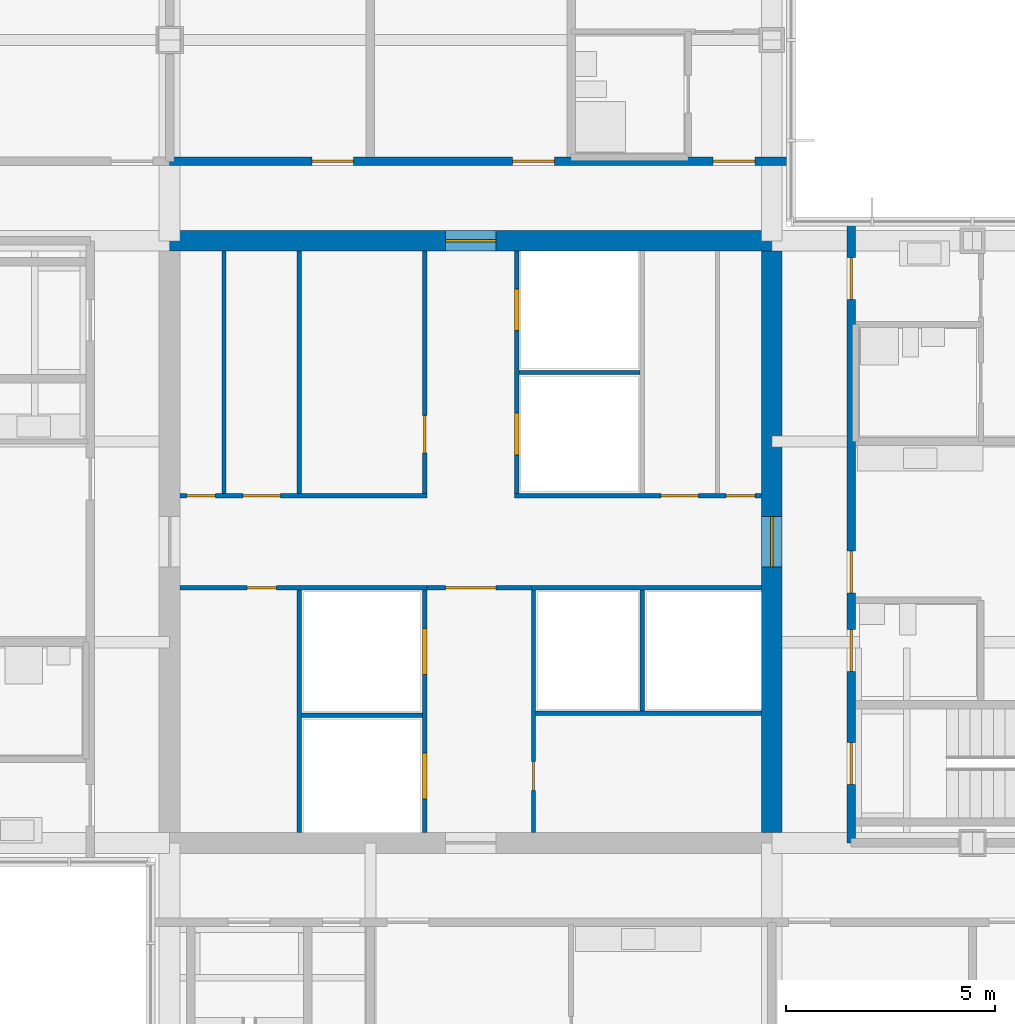
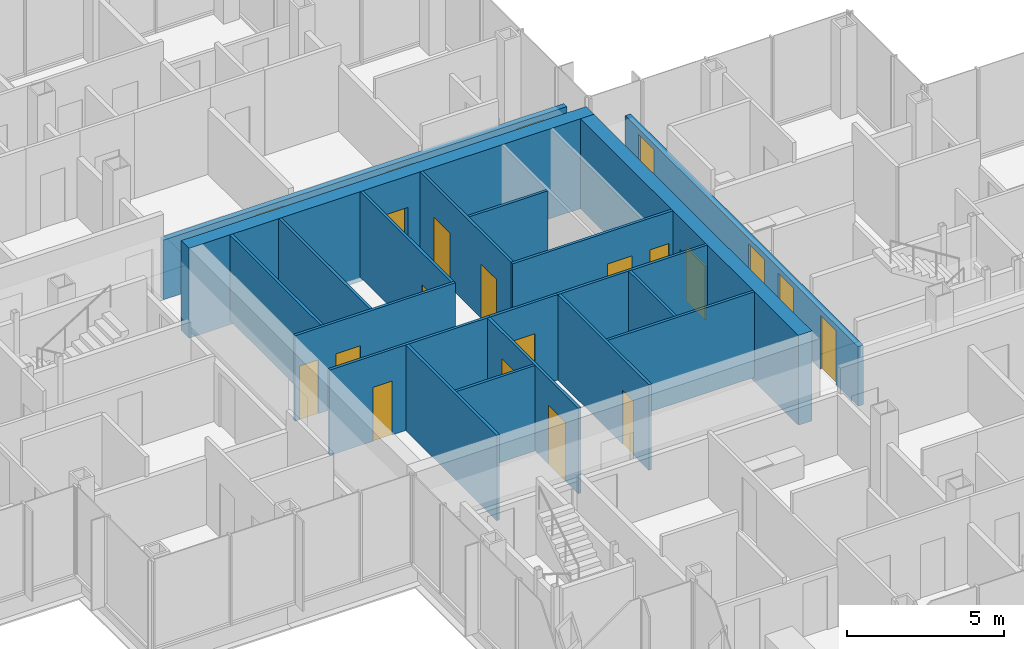
# One storey, part 14 of 20: 21 doors, 20 walls, 21 openings.
"""IFC4 building model written with IfcOpenShell, lengths in metres."""

from ifc_helpers import new_model, si_unit, direction, frame, frame_2d, origin, place, context, subcontext, project, spatial, rectangle, extrude, material, layer, layer_set, type_object, element, fill, save


model = new_model("IFC4")

# Units and contexts
model_context = context("Model", 3, precision=1e-05, world=origin(), true_north=direction((0.0, 1.0)))
body_context = subcontext(model_context, "Body", "Model", "MODEL_VIEW")
ifc_project = project(units=[si_unit("LENGTHUNIT", "METRE"), si_unit("AREAUNIT", "SQUARE_METRE"), si_unit("VOLUMEUNIT", "CUBIC_METRE"), si_unit("PLANEANGLEUNIT", "RADIAN"), si_unit("MASSUNIT", "GRAM", prefix="KILO")], contexts=[model_context])

# Site, building, storey
site_placement = place(None, origin())
site = spatial("IfcSite", under=ifc_project, at=site_placement, CompositionType="ELEMENT")
building_placement = place(site_placement, origin())
building = spatial("IfcBuilding", under=site, at=building_placement, Name="Kvirike Care Tower", CompositionType="ELEMENT")
storey_placement = place(building_placement, frame((0.0, 0.0, 119.0)))
storey = spatial("IfcBuildingStorey", under=building, at=storey_placement, Name="L32", CompositionType="ELEMENT", Elevation=119.0)

# Wall, opening, door
ifc_material_1 = material(Name="Concrete C50/60", Category="concrete")
ifc_layer_1 = layer(ifc_material_1, 0.5)
ifc_layer_set_1 = layer_set([ifc_layer_1], Name="CORE WALL 500 C50-60")
wall_type_1 = type_object("IfcWallType", Name="CORE WALL 500 C50-60", PredefinedType="SHEAR", material=ifc_layer_set_1)
wall_1_placement = place(storey_placement, frame((29.050048828125, 43.199951171875, -0.169921875), z_axis=(0.0, 0.0, 1.0), x_axis=(-1.0, 0.0, 0.0)))
wall_1 = element("IfcWall", 1, at=wall_1_placement, inside=storey, type_object=wall_type_1, Name="Core wall N L32", PredefinedType="SHEAR", context=body_context, shape_type="SweptSolid", body=[
    extrude(rectangle(XDim=14.900146484375, YDim=0.5, at=frame_2d((7.4501953125, 0.0))), origin(), (0.0, 0.0, 1.0), 3.5),
])
opening_1_placement = place(wall_1_placement, frame((6.85009765625, 0.0, 0.169921875)))
opening_1 = element("IfcOpeningElement", 2, at=opening_1_placement, cuts=wall_1, Name="Opening 32-071", PredefinedType="OPENING", context=body_context, shape_type="SweptSolid", body=[
    extrude(rectangle(XDim=1.199951171875, YDim=2.10009765625, at=frame_2d((0.60009765625, 1.050048828125))), frame((0.0, 0.260498046875, 0.0), z_axis=(0.0, -1.0, 0.0), x_axis=(1.0, 0.0, 0.0)), (0.0, 0.0, 1.0), 0.52099609375),
])
ifc_material_2 = material(Name="Timber door set", Category="wood")
door_type_1 = type_object("IfcDoorType", Name="CORE DOOR 1200", OperationType="SINGLE_SWING_LEFT", PredefinedType="DOOR", material=ifc_material_2)
door_1_placement = place(opening_1_placement, origin())
door_1 = element("IfcDoor", 3, at=door_1_placement, inside=storey, type_object=door_type_1, Name="Core door N L32", OperationType="SINGLE_SWING_LEFT", OverallHeight=2.10009765625, OverallWidth=1.199951171875, PredefinedType="DOOR", context=body_context, shape_type="SweptSolid", body=[
    extrude(rectangle(XDim=1.199951171875, YDim=2.10009765625, at=frame_2d((0.60009765625, 1.050048828125))), frame((0.0, 0.02685546875, 0.0), z_axis=(0.0, -1.0, 0.0), x_axis=(1.0, 0.0, 0.0)), (0.0, 0.0, 1.0), 0.053955078125),
])
fill(opening_1, door_1)

wall_2_placement = place(storey_placement, frame((28.800048828125, 29.050048828125, -0.169921875), z_axis=(0.0, 0.0, 1.0), x_axis=(0.0, 1.0, 0.0)))
wall_2 = element("IfcWall", 4, at=wall_2_placement, inside=storey, type_object=wall_type_1, Name="Core wall E L32", PredefinedType="SHEAR", context=body_context, shape_type="SweptSolid", body=[
    extrude(rectangle(XDim=13.89990234375, YDim=0.5, at=frame_2d((6.949951171875, 0.0))), origin(), (0.0, 0.0, 1.0), 3.5),
])
opening_2_placement = place(wall_2_placement, frame((6.35009765625, 0.0, 0.169921875)))
opening_2 = element("IfcOpeningElement", 5, at=opening_2_placement, cuts=wall_2, Name="Opening 32-070", PredefinedType="OPENING", context=body_context, shape_type="SweptSolid", body=[
    extrude(rectangle(XDim=1.199951171875, YDim=2.10009765625, at=frame_2d((0.60009765625, 1.050048828125))), frame((0.0, 0.260498046875, 0.0), z_axis=(0.0, -1.0, 0.0), x_axis=(1.0, 0.0, 0.0)), (0.0, 0.0, 1.0), 0.52099609375),
])
door_2_placement = place(opening_2_placement, origin())
door_2 = element("IfcDoor", 6, at=door_2_placement, inside=storey, type_object=door_type_1, Name="Core door E L32", OperationType="SINGLE_SWING_LEFT", OverallHeight=2.10009765625, OverallWidth=1.199951171875, PredefinedType="DOOR", context=body_context, shape_type="SweptSolid", body=[
    extrude(rectangle(XDim=1.199951171875, YDim=2.10009765625, at=frame_2d((0.60009765625, 1.050048828125))), frame((0.0, 0.02685546875, 0.0), z_axis=(0.0, -1.0, 0.0), x_axis=(1.0, 0.0, 0.0)), (0.0, 0.0, 1.0), 0.053955078125),
])
fill(opening_2, door_2)

# Wall, openings, doors
ifc_material_3 = material(Name="Plasterboard corridor wall", Category="gypsum")
ifc_layer_2 = layer(ifc_material_3, 0.199951171875)
ifc_layer_set_2 = layer_set([ifc_layer_2], Name="CORRIDOR WALL 200")
wall_type_2 = type_object("IfcWallType", Name="CORRIDOR WALL 200", PredefinedType="PARTITIONING", material=ifc_layer_set_2)
wall_3_placement = place(storey_placement, frame((29.239990234375, 45.10009765625, 0.0), z_axis=(0.0, 0.0, 1.0), x_axis=(-1.0, 0.0, 0.0)))
wall_3 = element("IfcWall", 7, at=wall_3_placement, inside=storey, type_object=wall_type_2, Name="Corridor Wall 200 L32", PredefinedType="PARTITIONING", context=body_context, shape_type="SweptSolid", body=[
    extrude(rectangle(XDim=14.840087890625, YDim=0.199951171875, at=frame_2d((7.419921875, 0.0))), origin(), (0.0, 0.0, 1.0), 2.320068359375),
])
opening_3_placement = place(wall_3_placement, frame((0.840087890625, 0.0, 0.0)))
opening_3 = element("IfcOpeningElement", 8, at=opening_3_placement, cuts=wall_3, Name="Opening 32-035", PredefinedType="OPENING", context=body_context, shape_type="SweptSolid", body=[
    extrude(rectangle(XDim=1.0, YDim=2.10009765625, at=frame_2d((0.5, 1.050048828125))), frame((0.0, 0.110595703125, 0.0), z_axis=(0.0, -1.0, 0.0), x_axis=(1.0, 0.0, 0.0)), (0.0, 0.0, 1.0), 0.220947265625),
])
opening_4_placement = place(wall_3_placement, frame((5.639892578125, 0.0, 0.0)))
opening_4 = element("IfcOpeningElement", 9, at=opening_4_placement, cuts=wall_3, Name="Opening 32-036", PredefinedType="OPENING", context=body_context, shape_type="SweptSolid", body=[
    extrude(rectangle(XDim=1.0, YDim=2.10009765625, at=frame_2d((0.5, 1.050048828125))), frame((0.0, 0.110595703125, 0.0), z_axis=(0.0, -1.0, 0.0), x_axis=(1.0, 0.0, 0.0)), (0.0, 0.0, 1.0), 0.220947265625),
])
opening_5_placement = place(wall_3_placement, frame((10.43994140625, 0.0, 0.0)))
opening_5 = element("IfcOpeningElement", 10, at=opening_5_placement, cuts=wall_3, Name="Opening 32-037", PredefinedType="OPENING", context=body_context, shape_type="SweptSolid", body=[
    extrude(rectangle(XDim=1.0, YDim=2.10009765625, at=frame_2d((0.5, 1.050048828125))), frame((0.0, 0.110595703125, 0.0), z_axis=(0.0, -1.0, 0.0), x_axis=(1.0, 0.0, 0.0)), (0.0, 0.0, 1.0), 0.220947265625),
])
ifc_material_4 = material(Name="Timber door set", Category="wood")
door_type_2 = type_object("IfcDoorType", Name="FLAT ENTRANCE DOOR 1000", OperationType="SINGLE_SWING_LEFT", PredefinedType="DOOR", material=ifc_material_4)
door_3_placement = place(opening_3_placement, frame((1.0, 0.0, 0.0), z_axis=(0.0, 0.0, 1.0), x_axis=(-1.0, 0.0, 0.0)))
door_3 = element("IfcDoor", 11, at=door_3_placement, inside=storey, type_object=door_type_2, Name="Care base entrance", OperationType="SINGLE_SWING_LEFT", OverallHeight=2.10009765625, OverallWidth=1.0, PredefinedType="DOOR", context=body_context, shape_type="SweptSolid", body=[
    extrude(rectangle(XDim=1.0, YDim=2.10009765625, at=frame_2d((0.5, 1.050048828125))), frame((0.0, 0.02685546875, 0.0), z_axis=(0.0, -1.0, 0.0), x_axis=(1.0, 0.0, 0.0)), (0.0, 0.0, 1.0), 0.053955078125),
])
fill(opening_3, door_3)
door_4_placement = place(opening_4_placement, frame((1.0, 0.0, 0.0), z_axis=(0.0, 0.0, 1.0), x_axis=(-1.0, 0.0, 0.0)))
door_4 = element("IfcDoor", 12, at=door_4_placement, inside=storey, type_object=door_type_2, Name="Assisted living suite entrance", OperationType="SINGLE_SWING_LEFT", OverallHeight=2.10009765625, OverallWidth=1.0, PredefinedType="DOOR", context=body_context, shape_type="SweptSolid", body=[
    extrude(rectangle(XDim=1.0, YDim=2.10009765625, at=frame_2d((0.5, 1.050048828125))), frame((0.0, 0.02685546875, 0.0), z_axis=(0.0, -1.0, 0.0), x_axis=(1.0, 0.0, 0.0)), (0.0, 0.0, 1.0), 0.053955078125),
])
fill(opening_4, door_4)
door_5_placement = place(opening_5_placement, frame((1.0, 0.0, 0.0), z_axis=(0.0, 0.0, 1.0), x_axis=(-1.0, 0.0, 0.0)))
door_5 = element("IfcDoor", 13, at=door_5_placement, inside=storey, type_object=door_type_2, Name="Assisted living suite entrance", OperationType="SINGLE_SWING_LEFT", OverallHeight=2.10009765625, OverallWidth=1.0, PredefinedType="DOOR", context=body_context, shape_type="SweptSolid", body=[
    extrude(rectangle(XDim=1.0, YDim=2.10009765625, at=frame_2d((0.5, 1.050048828125))), frame((0.0, 0.02685546875, 0.0), z_axis=(0.0, -1.0, 0.0), x_axis=(1.0, 0.0, 0.0)), (0.0, 0.0, 1.0), 0.053955078125),
])
fill(opening_5, door_5)

wall_4_placement = place(storey_placement, frame((30.699951171875, 28.800048828125, 0.0), z_axis=(0.0, 0.0, 1.0), x_axis=(0.0, 1.0, 0.0)))
wall_4 = element("IfcWall", 14, at=wall_4_placement, inside=storey, type_object=wall_type_2, Name="Corridor Wall 200 L32", PredefinedType="PARTITIONING", context=body_context, shape_type="SweptSolid", body=[
    extrude(rectangle(XDim=14.83984375, YDim=0.199951171875, at=frame_2d((7.419921875, 0.0))), origin(), (0.0, 0.0, 1.0), 2.320068359375),
])
opening_6_placement = place(wall_4_placement, frame((1.39990234375, 0.0, 0.0)))
opening_6 = element("IfcOpeningElement", 15, at=opening_6_placement, cuts=wall_4, Name="Opening 32-052", PredefinedType="OPENING", context=body_context, shape_type="SweptSolid", body=[
    extrude(rectangle(XDim=1.0, YDim=2.10009765625, at=frame_2d((0.5, 1.050048828125))), frame((0.0, 0.110595703125, 0.0), z_axis=(0.0, -1.0, 0.0), x_axis=(1.0, 0.0, 0.0)), (0.0, 0.0, 1.0), 0.220947265625),
])
opening_7_placement = place(wall_4_placement, frame((4.10009765625, 0.0, 0.0)))
opening_7 = element("IfcOpeningElement", 16, at=opening_7_placement, cuts=wall_4, Name="Opening 32-053", PredefinedType="OPENING", context=body_context, shape_type="SweptSolid", body=[
    extrude(rectangle(XDim=1.0, YDim=2.10009765625, at=frame_2d((0.5, 1.050048828125))), frame((0.0, 0.110595703125, 0.0), z_axis=(0.0, -1.0, 0.0), x_axis=(1.0, 0.0, 0.0)), (0.0, 0.0, 1.0), 0.220947265625),
])
opening_8_placement = place(wall_4_placement, frame((5.97509765625, 0.0, 0.0)))
opening_8 = element("IfcOpeningElement", 17, at=opening_8_placement, cuts=wall_4, Name="Opening 32-054", PredefinedType="OPENING", context=body_context, shape_type="SweptSolid", body=[
    extrude(rectangle(XDim=1.0, YDim=2.10009765625, at=frame_2d((0.5, 1.050048828125))), frame((0.0, 0.110595703125, 0.0), z_axis=(0.0, -1.0, 0.0), x_axis=(1.0, 0.0, 0.0)), (0.0, 0.0, 1.0), 0.220947265625),
])
opening_9_placement = place(wall_4_placement, frame((13.0, 0.0, 0.0)))
opening_9 = element("IfcOpeningElement", 18, at=opening_9_placement, cuts=wall_4, Name="Opening 32-055", PredefinedType="OPENING", context=body_context, shape_type="SweptSolid", body=[
    extrude(rectangle(XDim=1.0, YDim=2.10009765625, at=frame_2d((0.5, 1.050048828125))), frame((0.0, 0.110595703125, 0.0), z_axis=(0.0, -1.0, 0.0), x_axis=(1.0, 0.0, 0.0)), (0.0, 0.0, 1.0), 0.220947265625),
])
door_6_placement = place(opening_8_placement, frame((1.0, 0.0, 0.0), z_axis=(0.0, 0.0, 1.0), x_axis=(-1.0, 0.0, 0.0)))
door_6 = element("IfcDoor", 19, at=door_6_placement, inside=storey, type_object=door_type_2, Name="Assisted living suite entrance", OperationType="SINGLE_SWING_LEFT", OverallHeight=2.10009765625, OverallWidth=1.0, PredefinedType="DOOR", context=body_context, shape_type="SweptSolid", body=[
    extrude(rectangle(XDim=1.0, YDim=2.10009765625, at=frame_2d((0.5, 1.050048828125))), frame((0.0, 0.02685546875, 0.0), z_axis=(0.0, -1.0, 0.0), x_axis=(1.0, 0.0, 0.0)), (0.0, 0.0, 1.0), 0.053955078125),
])
fill(opening_8, door_6)
door_7_placement = place(opening_9_placement, frame((1.0, 0.0, 0.0), z_axis=(0.0, 0.0, 1.0), x_axis=(-1.0, 0.0, 0.0)))
door_7 = element("IfcDoor", 20, at=door_7_placement, inside=storey, type_object=door_type_2, Name="Assisted living suite entrance", OperationType="SINGLE_SWING_RIGHT", OverallHeight=2.10009765625, OverallWidth=1.0, PredefinedType="DOOR", context=body_context, shape_type="SweptSolid", body=[
    extrude(rectangle(XDim=1.0, YDim=2.10009765625, at=frame_2d((0.5, 1.050048828125))), frame((0.0, 0.02685546875, 0.0), z_axis=(0.0, -1.0, 0.0), x_axis=(1.0, 0.0, 0.0)), (0.0, 0.0, 1.0), 0.053955078125),
])
fill(opening_9, door_7)
ifc_material_5 = material(Name="Timber door set", Category="wood")
door_type_3 = type_object("IfcDoorType", Name="STAIR DOOR 1000", OperationType="SINGLE_SWING_LEFT", PredefinedType="DOOR", material=ifc_material_5)
door_8_placement = place(opening_6_placement, frame((1.0, 0.0, 0.0), z_axis=(0.0, 0.0, 1.0), x_axis=(-1.0, 0.0, 0.0)))
door_8 = element("IfcDoor", 21, at=door_8_placement, inside=storey, type_object=door_type_3, Name="Stair 2 door", OperationType="SINGLE_SWING_RIGHT", OverallHeight=2.10009765625, OverallWidth=1.0, PredefinedType="DOOR", context=body_context, shape_type="SweptSolid", body=[
    extrude(rectangle(XDim=1.0, YDim=2.10009765625, at=frame_2d((0.5, 1.050048828125))), frame((0.0, 0.031982421875, 0.0), z_axis=(0.0, -1.0, 0.0), x_axis=(1.0, 0.0, 0.0)), (0.0, 0.0, 1.0), 0.06396484375),
])
fill(opening_6, door_8)
ifc_material_6 = material(Name="Timber door set", Category="wood")
door_type_4 = type_object("IfcDoorType", Name="WC DOOR 1000", OperationType="SINGLE_SWING_LEFT", PredefinedType="DOOR", material=ifc_material_6)
door_9_placement = place(opening_7_placement, frame((1.0, 0.0, 0.0), z_axis=(0.0, 0.0, 1.0), x_axis=(-1.0, 0.0, 0.0)))
door_9 = element("IfcDoor", 22, at=door_9_placement, inside=storey, type_object=door_type_4, Name="Accessible WC door", OperationType="SINGLE_SWING_LEFT", OverallHeight=2.10009765625, OverallWidth=1.0, PredefinedType="DOOR", context=body_context, shape_type="SweptSolid", body=[
    extrude(rectangle(XDim=1.0, YDim=2.10009765625, at=frame_2d((0.5, 1.050048828125))), frame((0.0, 0.02685546875, 0.0), z_axis=(0.0, -1.0, 0.0), x_axis=(1.0, 0.0, 0.0)), (0.0, 0.0, 1.0), 0.053955078125),
])
fill(opening_7, door_9)

# Wall
ifc_material_7 = material(Name="Gypsum shaft wall system", Category="gypsum")
ifc_layer_3 = layer(ifc_material_7, 0.10009765625)
ifc_layer_set_3 = layer_set([ifc_layer_3], Name="SHAFT WALL 100")
wall_type_3 = type_object("IfcWallType", Name="SHAFT WALL 100", PredefinedType="SOLIDWALL", material=ifc_layer_set_3)
wall_5_placement = place(storey_placement, frame((15.699951171875, 37.14990234375, 0.0), z_axis=(0.0, 0.0, 1.0), x_axis=(0.0, 1.0, 0.0)))
element("IfcWall", 23, at=wall_5_placement, inside=storey, type_object=wall_type_3, Name="Shaft Wall 100 L32", PredefinedType="SOLIDWALL", context=body_context, shape_type="SweptSolid", body=[
    extrude(rectangle(XDim=5.800048828125, YDim=0.10009765625, at=frame_2d((2.89990234375, 0.0))), origin(), (0.0, 0.0, 1.0), 3.330078125),
])

# Wall, openings, doors
wall_6_placement = place(storey_placement, frame((20.5, 29.050048828125, 0.0), z_axis=(0.0, 0.0, 1.0), x_axis=(0.0, 1.0, 0.0)))
wall_6 = element("IfcWall", 24, at=wall_6_placement, inside=storey, type_object=wall_type_3, Name="Shaft Wall 100 L32", PredefinedType="SOLIDWALL", context=body_context, shape_type="SweptSolid", body=[
    extrude(rectangle(XDim=5.800048828125, YDim=0.10009765625, at=frame_2d((2.89990234375, 0.0))), origin(), (0.0, 0.0, 1.0), 3.330078125),
])
opening_10_placement = place(wall_6_placement, frame((0.800048828125, 0.0, 0.0)))
opening_10 = element("IfcOpeningElement", 25, at=opening_10_placement, cuts=wall_6, Name="Opening 32-056", PredefinedType="OPENING", context=body_context, shape_type="SweptSolid", body=[
    extrude(rectangle(XDim=1.10009765625, YDim=2.300048828125, at=frame_2d((0.550048828125, 1.14990234375))), frame((0.0, 0.060546875, 0.0), z_axis=(0.0, -1.0, 0.0), x_axis=(1.0, 0.0, 0.0)), (0.0, 0.0, 1.0), 0.12109375),
])
opening_11_placement = place(wall_6_placement, frame((3.77490234375, 0.0, 0.0)))
opening_11 = element("IfcOpeningElement", 26, at=opening_11_placement, cuts=wall_6, Name="Opening 32-057", PredefinedType="OPENING", context=body_context, shape_type="SweptSolid", body=[
    extrude(rectangle(XDim=1.10009765625, YDim=2.300048828125, at=frame_2d((0.550048828125, 1.14990234375))), frame((0.0, 0.060546875, 0.0), z_axis=(0.0, -1.0, 0.0), x_axis=(1.0, 0.0, 0.0)), (0.0, 0.0, 1.0), 0.12109375),
])
ifc_material_8 = material(Name="Aluminium door frame", Category="aluminium")
door_type_5 = type_object("IfcDoorType", Name="FIRE-FIGHTING LIFT LANDING DOOR 1100", OperationType="SLIDING_TO_LEFT", PredefinedType="DOOR", material=ifc_material_8)
door_10_placement = place(opening_10_placement, origin())
door_10 = element("IfcDoor", 27, at=door_10_placement, inside=storey, type_object=door_type_5, Name="Lift FF1 landing door", OperationType="SLIDING_TO_LEFT", OverallHeight=2.300048828125, OverallWidth=1.10009765625, PredefinedType="DOOR", context=body_context, shape_type="SweptSolid", body=[
    extrude(rectangle(XDim=1.10009765625, YDim=2.300048828125, at=frame_2d((0.550048828125, 1.14990234375))), frame((0.0, 0.0498046875, 0.0), z_axis=(0.0, -1.0, 0.0), x_axis=(1.0, 0.0, 0.0)), (0.0, 0.0, 1.0), 0.099609375),
])
fill(opening_10, door_10)
door_11_placement = place(opening_11_placement, origin())
door_11 = element("IfcDoor", 28, at=door_11_placement, inside=storey, type_object=door_type_5, Name="Lift FF2 landing door", OperationType="SLIDING_TO_LEFT", OverallHeight=2.300048828125, OverallWidth=1.10009765625, PredefinedType="DOOR", context=body_context, shape_type="SweptSolid", body=[
    extrude(rectangle(XDim=1.10009765625, YDim=2.300048828125, at=frame_2d((0.550048828125, 1.14990234375))), frame((0.0, 0.0498046875, 0.0), z_axis=(0.0, -1.0, 0.0), x_axis=(1.0, 0.0, 0.0)), (0.0, 0.0, 1.0), 0.099609375),
])
fill(opening_11, door_11)

# Wall, opening, door
wall_7_placement = place(storey_placement, frame((20.5, 37.14990234375, 0.0), z_axis=(0.0, 0.0, 1.0), x_axis=(0.0, 1.0, 0.0)))
wall_7 = element("IfcWall", 29, at=wall_7_placement, inside=storey, type_object=wall_type_3, Name="Shaft Wall 100 L32", PredefinedType="SOLIDWALL", context=body_context, shape_type="SweptSolid", body=[
    extrude(rectangle(XDim=5.800048828125, YDim=0.10009765625, at=frame_2d((2.89990234375, 0.0))), origin(), (0.0, 0.0, 1.0), 3.330078125),
])
opening_12_placement = place(wall_7_placement, frame((0.97509765625, 0.0, 0.0)))
opening_12 = element("IfcOpeningElement", 30, at=opening_12_placement, cuts=wall_7, Name="Opening 32-058", PredefinedType="OPENING", context=body_context, shape_type="SweptSolid", body=[
    extrude(rectangle(XDim=0.89990234375, YDim=2.10009765625, at=frame_2d((0.449951171875, 1.050048828125))), frame((0.0, 0.060546875, 0.0), z_axis=(0.0, -1.0, 0.0), x_axis=(1.0, 0.0, 0.0)), (0.0, 0.0, 1.0), 0.12109375),
])
ifc_material_9 = material(Name="Timber door set", Category="wood")
door_type_6 = type_object("IfcDoorType", Name="STORE DOOR 900", OperationType="SINGLE_SWING_LEFT", PredefinedType="DOOR", material=ifc_material_9)
door_12_placement = place(opening_12_placement, origin())
door_12 = element("IfcDoor", 31, at=door_12_placement, inside=storey, type_object=door_type_6, Name="Staff room door", OperationType="SINGLE_SWING_RIGHT", OverallHeight=2.10009765625, OverallWidth=0.89990234375, PredefinedType="DOOR", context=body_context, shape_type="SweptSolid", body=[
    extrude(rectangle(XDim=0.89990234375, YDim=2.10009765625, at=frame_2d((0.449951171875, 1.050048828125))), frame((0.0, 0.02685546875, 0.0), z_axis=(0.0, -1.0, 0.0), x_axis=(1.0, 0.0, 0.0)), (0.0, 0.0, 1.0), 0.053955078125),
])
fill(opening_12, door_12)

# Wall, openings, doors
wall_8_placement = place(storey_placement, frame((22.699951171875, 37.14990234375, 0.0), z_axis=(0.0, 0.0, 1.0), x_axis=(0.0, 1.0, 0.0)))
wall_8 = element("IfcWall", 32, at=wall_8_placement, inside=storey, type_object=wall_type_3, Name="Shaft Wall 100 L32", PredefinedType="SOLIDWALL", context=body_context, shape_type="SweptSolid", body=[
    extrude(rectangle(XDim=5.800048828125, YDim=0.10009765625, at=frame_2d((2.89990234375, 0.0))), origin(), (0.0, 0.0, 1.0), 3.330078125),
])
opening_13_placement = place(wall_8_placement, frame((0.925048828125, 0.0, 0.0)))
opening_13 = element("IfcOpeningElement", 33, at=opening_13_placement, cuts=wall_8, Name="Opening 32-059", PredefinedType="OPENING", context=body_context, shape_type="SweptSolid", body=[
    extrude(rectangle(XDim=1.0, YDim=2.10009765625, at=frame_2d((0.5, 1.050048828125))), frame((0.0, 0.060546875, 0.0), z_axis=(0.0, -1.0, 0.0), x_axis=(1.0, 0.0, 0.0)), (0.0, 0.0, 1.0), 0.12109375),
])
opening_14_placement = place(wall_8_placement, frame((3.89990234375, 0.0, 0.0)))
opening_14 = element("IfcOpeningElement", 34, at=opening_14_placement, cuts=wall_8, Name="Opening 32-060", PredefinedType="OPENING", context=body_context, shape_type="SweptSolid", body=[
    extrude(rectangle(XDim=1.0, YDim=2.10009765625, at=frame_2d((0.5, 1.050048828125))), frame((0.0, 0.060546875, 0.0), z_axis=(0.0, -1.0, 0.0), x_axis=(1.0, 0.0, 0.0)), (0.0, 0.0, 1.0), 0.12109375),
])
ifc_material_10 = material(Name="Aluminium door frame", Category="aluminium")
door_type_7 = type_object("IfcDoorType", Name="LIFT LANDING DOOR 1000", OperationType="SLIDING_TO_LEFT", PredefinedType="DOOR", material=ifc_material_10)
door_13_placement = place(opening_13_placement, origin())
door_13 = element("IfcDoor", 35, at=door_13_placement, inside=storey, type_object=door_type_7, Name="Lift P3 landing door", OperationType="SLIDING_TO_LEFT", OverallHeight=2.10009765625, OverallWidth=1.0, PredefinedType="DOOR", context=body_context, shape_type="SweptSolid", body=[
    extrude(rectangle(XDim=1.0, YDim=2.10009765625, at=frame_2d((0.5, 1.050048828125))), frame((0.0, 0.0498046875, 0.0), z_axis=(0.0, -1.0, 0.0), x_axis=(1.0, 0.0, 0.0)), (0.0, 0.0, 1.0), 0.099609375),
])
fill(opening_13, door_13)
door_14_placement = place(opening_14_placement, origin())
door_14 = element("IfcDoor", 36, at=door_14_placement, inside=storey, type_object=door_type_7, Name="Lift P4 landing door", OperationType="SLIDING_TO_LEFT", OverallHeight=2.10009765625, OverallWidth=1.0, PredefinedType="DOOR", context=body_context, shape_type="SweptSolid", body=[
    extrude(rectangle(XDim=1.0, YDim=2.10009765625, at=frame_2d((0.5, 1.050048828125))), frame((0.0, 0.0498046875, 0.0), z_axis=(0.0, -1.0, 0.0), x_axis=(1.0, 0.0, 0.0)), (0.0, 0.0, 1.0), 0.099609375),
])
fill(opening_14, door_14)

# Wall, opening, door
wall_9_placement = place(storey_placement, frame((23.10009765625, 29.050048828125, 0.0), z_axis=(0.0, 0.0, 1.0), x_axis=(0.0, 1.0, 0.0)))
wall_9 = element("IfcWall", 37, at=wall_9_placement, inside=storey, type_object=wall_type_3, Name="Shaft Wall 100 L32", PredefinedType="SOLIDWALL", context=body_context, shape_type="SweptSolid", body=[
    extrude(rectangle(XDim=5.800048828125, YDim=0.10009765625, at=frame_2d((2.89990234375, 0.0))), origin(), (0.0, 0.0, 1.0), 3.330078125),
])
opening_15_placement = place(wall_9_placement, frame((1.0, 0.0, 0.0)))
opening_15 = element("IfcOpeningElement", 38, at=opening_15_placement, cuts=wall_9, Name="Opening 32-061", PredefinedType="OPENING", context=body_context, shape_type="SweptSolid", body=[
    extrude(rectangle(XDim=0.699951171875, YDim=2.10009765625, at=frame_2d((0.35009765625, 1.050048828125))), frame((0.0, 0.060546875, 0.0), z_axis=(0.0, -1.0, 0.0), x_axis=(1.0, 0.0, 0.0)), (0.0, 0.0, 1.0), 0.12109375),
])
ifc_material_11 = material(Name="Timber door set", Category="wood")
door_type_8 = type_object("IfcDoorType", Name="RISER DOOR 700", OperationType="SINGLE_SWING_LEFT", PredefinedType="DOOR", material=ifc_material_11)
door_15_placement = place(opening_15_placement, origin())
door_15 = element("IfcDoor", 39, at=door_15_placement, inside=storey, type_object=door_type_8, Name="Riser door", OperationType="SINGLE_SWING_RIGHT", OverallHeight=2.10009765625, OverallWidth=0.699951171875, PredefinedType="DOOR", context=body_context, shape_type="SweptSolid", body=[
    extrude(rectangle(XDim=0.699951171875, YDim=2.10009765625, at=frame_2d((0.35009765625, 1.050048828125))), frame((0.0, 0.02685546875, 0.0), z_axis=(0.0, -1.0, 0.0), x_axis=(1.0, 0.0, 0.0)), (0.0, 0.0, 1.0), 0.053955078125),
])
fill(opening_15, door_15)

wall_10_placement = place(storey_placement, frame((14.64990234375, 34.89990234375, 0.0), z_axis=(0.0, 0.0, 1.0), x_axis=(1.0, 0.0, 0.0)))
wall_10 = element("IfcWall", 40, at=wall_10_placement, inside=storey, type_object=wall_type_3, Name="Shaft Wall 100 L32", PredefinedType="SOLIDWALL", context=body_context, shape_type="SweptSolid", body=[
    extrude(rectangle(XDim=5.900146484375, YDim=0.10009765625, at=frame_2d((2.9501953125, 0.0))), origin(), (0.0, 0.0, 1.0), 3.330078125),
])
opening_16_placement = place(wall_10_placement, frame((1.60009765625, 0.0, 0.0)))
opening_16 = element("IfcOpeningElement", 41, at=opening_16_placement, cuts=wall_10, Name="Opening 32-062", PredefinedType="OPENING", context=body_context, shape_type="SweptSolid", body=[
    extrude(rectangle(XDim=0.699951171875, YDim=2.10009765625, at=frame_2d((0.35009765625, 1.050048828125))), frame((0.0, 0.060546875, 0.0), z_axis=(0.0, -1.0, 0.0), x_axis=(1.0, 0.0, 0.0)), (0.0, 0.0, 1.0), 0.12109375),
])
door_16_placement = place(opening_16_placement, frame((0.699951171875, 0.0, 0.0), z_axis=(0.0, 0.0, 1.0), x_axis=(-1.0, 0.0, 0.0)))
door_16 = element("IfcDoor", 42, at=door_16_placement, inside=storey, type_object=door_type_8, Name="Riser door", OperationType="SINGLE_SWING_RIGHT", OverallHeight=2.10009765625, OverallWidth=0.699951171875, PredefinedType="DOOR", context=body_context, shape_type="SweptSolid", body=[
    extrude(rectangle(XDim=0.699951171875, YDim=2.10009765625, at=frame_2d((0.35009765625, 1.050048828125))), frame((0.0, 0.02685546875, 0.0), z_axis=(0.0, -1.0, 0.0), x_axis=(1.0, 0.0, 0.0)), (0.0, 0.0, 1.0), 0.053955078125),
])
fill(opening_16, door_16)

# Wall
wall_11_placement = place(storey_placement, frame((23.050048828125, 34.89990234375, 0.0), z_axis=(0.0, 0.0, 1.0), x_axis=(1.0, 0.0, 0.0)))
element("IfcWall", 43, at=wall_11_placement, inside=storey, type_object=wall_type_3, Name="Shaft Wall 100 L32", PredefinedType="SOLIDWALL", context=body_context, shape_type="SweptSolid", body=[
    extrude(rectangle(XDim=5.5, YDim=0.10009765625, at=frame_2d((2.75, 0.0))), origin(), (0.0, 0.0, 1.0), 3.330078125),
])

# Wall, openings, doors
wall_12_placement = place(storey_placement, frame((14.64990234375, 37.10009765625, 0.0), z_axis=(0.0, 0.0, 1.0), x_axis=(1.0, 0.0, 0.0)))
wall_12 = element("IfcWall", 44, at=wall_12_placement, inside=storey, type_object=wall_type_3, Name="Shaft Wall 100 L32", PredefinedType="SOLIDWALL", context=body_context, shape_type="SweptSolid", body=[
    extrude(rectangle(XDim=5.900146484375, YDim=0.10009765625, at=frame_2d((2.9501953125, 0.0))), origin(), (0.0, 0.0, 1.0), 3.330078125),
])
opening_17_placement = place(wall_12_placement, frame((0.14990234375, 0.0, 0.0)))
opening_17 = element("IfcOpeningElement", 45, at=opening_17_placement, cuts=wall_12, Name="Opening 32-063", PredefinedType="OPENING", context=body_context, shape_type="SweptSolid", body=[
    extrude(rectangle(XDim=0.699951171875, YDim=2.10009765625, at=frame_2d((0.35009765625, 1.050048828125))), frame((0.0, 0.060546875, 0.0), z_axis=(0.0, -1.0, 0.0), x_axis=(1.0, 0.0, 0.0)), (0.0, 0.0, 1.0), 0.12109375),
])
opening_18_placement = place(wall_12_placement, frame((1.5, 0.0, 0.0)))
opening_18 = element("IfcOpeningElement", 46, at=opening_18_placement, cuts=wall_12, Name="Opening 32-064", PredefinedType="OPENING", context=body_context, shape_type="SweptSolid", body=[
    extrude(rectangle(XDim=0.89990234375, YDim=2.10009765625, at=frame_2d((0.449951171875, 1.050048828125))), frame((0.0, 0.060546875, 0.0), z_axis=(0.0, -1.0, 0.0), x_axis=(1.0, 0.0, 0.0)), (0.0, 0.0, 1.0), 0.12109375),
])
door_17_placement = place(opening_17_placement, origin())
door_17 = element("IfcDoor", 47, at=door_17_placement, inside=storey, type_object=door_type_8, Name="Riser door", OperationType="SINGLE_SWING_LEFT", OverallHeight=2.10009765625, OverallWidth=0.699951171875, PredefinedType="DOOR", context=body_context, shape_type="SweptSolid", body=[
    extrude(rectangle(XDim=0.699951171875, YDim=2.10009765625, at=frame_2d((0.35009765625, 1.050048828125))), frame((0.0, 0.02685546875, 0.0), z_axis=(0.0, -1.0, 0.0), x_axis=(1.0, 0.0, 0.0)), (0.0, 0.0, 1.0), 0.053955078125),
])
fill(opening_17, door_17)
door_18_placement = place(opening_18_placement, origin())
door_18 = element("IfcDoor", 48, at=door_18_placement, inside=storey, type_object=door_type_6, Name="Linen store door", OperationType="SINGLE_SWING_LEFT", OverallHeight=2.10009765625, OverallWidth=0.89990234375, PredefinedType="DOOR", context=body_context, shape_type="SweptSolid", body=[
    extrude(rectangle(XDim=0.89990234375, YDim=2.10009765625, at=frame_2d((0.449951171875, 1.050048828125))), frame((0.0, 0.02685546875, 0.0), z_axis=(0.0, -1.0, 0.0), x_axis=(1.0, 0.0, 0.0)), (0.0, 0.0, 1.0), 0.053955078125),
])
fill(opening_18, door_18)

wall_13_placement = place(storey_placement, frame((22.64990234375, 37.10009765625, 0.0), z_axis=(0.0, 0.0, 1.0), x_axis=(1.0, 0.0, 0.0)))
wall_13 = element("IfcWall", 49, at=wall_13_placement, inside=storey, type_object=wall_type_3, Name="Shaft Wall 100 L32", PredefinedType="SOLIDWALL", context=body_context, shape_type="SweptSolid", body=[
    extrude(rectangle(XDim=5.900146484375, YDim=0.10009765625, at=frame_2d((2.9501953125, 0.0))), origin(), (0.0, 0.0, 1.0), 3.330078125),
])
opening_19_placement = place(wall_13_placement, frame((3.5, 0.0, 0.0)))
opening_19 = element("IfcOpeningElement", 50, at=opening_19_placement, cuts=wall_13, Name="Opening 32-065", PredefinedType="OPENING", context=body_context, shape_type="SweptSolid", body=[
    extrude(rectangle(XDim=0.89990234375, YDim=2.10009765625, at=frame_2d((0.449951171875, 1.050048828125))), frame((0.0, 0.060546875, 0.0), z_axis=(0.0, -1.0, 0.0), x_axis=(1.0, 0.0, 0.0)), (0.0, 0.0, 1.0), 0.12109375),
])
opening_20_placement = place(wall_13_placement, frame((5.050048828125, 0.0, 0.0)))
opening_20 = element("IfcOpeningElement", 51, at=opening_20_placement, cuts=wall_13, Name="Opening 32-066", PredefinedType="OPENING", context=body_context, shape_type="SweptSolid", body=[
    extrude(rectangle(XDim=0.699951171875, YDim=2.10009765625, at=frame_2d((0.35009765625, 1.050048828125))), frame((0.0, 0.060546875, 0.0), z_axis=(0.0, -1.0, 0.0), x_axis=(1.0, 0.0, 0.0)), (0.0, 0.0, 1.0), 0.12109375),
])
door_19_placement = place(opening_20_placement, origin())
door_19 = element("IfcDoor", 52, at=door_19_placement, inside=storey, type_object=door_type_8, Name="Riser door", OperationType="SINGLE_SWING_RIGHT", OverallHeight=2.10009765625, OverallWidth=0.699951171875, PredefinedType="DOOR", context=body_context, shape_type="SweptSolid", body=[
    extrude(rectangle(XDim=0.699951171875, YDim=2.10009765625, at=frame_2d((0.35009765625, 1.050048828125))), frame((0.0, 0.02685546875, 0.0), z_axis=(0.0, -1.0, 0.0), x_axis=(1.0, 0.0, 0.0)), (0.0, 0.0, 1.0), 0.053955078125),
])
fill(opening_20, door_19)
door_20_placement = place(opening_19_placement, origin())
door_20 = element("IfcDoor", 53, at=door_20_placement, inside=storey, type_object=door_type_6, Name="IT room door", OperationType="SINGLE_SWING_LEFT", OverallHeight=2.10009765625, OverallWidth=0.89990234375, PredefinedType="DOOR", context=body_context, shape_type="SweptSolid", body=[
    extrude(rectangle(XDim=0.89990234375, YDim=2.10009765625, at=frame_2d((0.449951171875, 1.050048828125))), frame((0.0, 0.02685546875, 0.0), z_axis=(0.0, -1.0, 0.0), x_axis=(1.0, 0.0, 0.0)), (0.0, 0.0, 1.0), 0.053955078125),
])
fill(opening_19, door_20)

# Wall, opening, door
wall_14_placement = place(storey_placement, frame((20.550048828125, 34.89990234375, 0.0), z_axis=(0.0, 0.0, 1.0), x_axis=(1.0, 0.0, 0.0)))
wall_14 = element("IfcWall", 54, at=wall_14_placement, inside=storey, type_object=wall_type_3, Name="Shaft Wall 100 L32", PredefinedType="SOLIDWALL", context=body_context, shape_type="SweptSolid", body=[
    extrude(rectangle(XDim=2.5, YDim=0.10009765625, at=frame_2d((1.25, 0.0))), origin(), (0.0, 0.0, 1.0), 3.330078125),
])
opening_21_placement = place(wall_14_placement, frame((0.449951171875, 0.0, 0.0)))
opening_21 = element("IfcOpeningElement", 55, at=opening_21_placement, cuts=wall_14, Name="Opening 32-067", PredefinedType="OPENING", context=body_context, shape_type="SweptSolid", body=[
    extrude(rectangle(XDim=1.199951171875, YDim=2.10009765625, at=frame_2d((0.60009765625, 1.050048828125))), frame((0.0, 0.060546875, 0.0), z_axis=(0.0, -1.0, 0.0), x_axis=(1.0, 0.0, 0.0)), (0.0, 0.0, 1.0), 0.12109375),
])
door_21_placement = place(opening_21_placement, frame((1.199951171875, 0.0, 0.0), z_axis=(0.0, 0.0, 1.0), x_axis=(-1.0, 0.0, 0.0)))
door_21 = element("IfcDoor", 56, at=door_21_placement, inside=storey, type_object=door_type_1, Name="Fire-fighting lobby door", OperationType="SINGLE_SWING_LEFT", OverallHeight=2.10009765625, OverallWidth=1.199951171875, PredefinedType="DOOR", context=body_context, shape_type="SweptSolid", body=[
    extrude(rectangle(XDim=1.199951171875, YDim=2.10009765625, at=frame_2d((0.60009765625, 1.050048828125))), frame((0.0, 0.02685546875, 0.0), z_axis=(0.0, -1.0, 0.0), x_axis=(1.0, 0.0, 0.0)), (0.0, 0.0, 1.0), 0.053955078125),
])
fill(opening_21, door_21)

# Walls
wall_15_placement = place(storey_placement, frame((17.5, 29.050048828125, 0.0), z_axis=(0.0, 0.0, 1.0), x_axis=(0.0, 1.0, 0.0)))
element("IfcWall", 57, at=wall_15_placement, inside=storey, type_object=wall_type_3, Name="Shaft Wall 100 L32", PredefinedType="SOLIDWALL", context=body_context, shape_type="SweptSolid", body=[
    extrude(rectangle(XDim=5.800048828125, YDim=0.10009765625, at=frame_2d((2.89990234375, 0.0))), origin(), (0.0, 0.0, 1.0), 3.330078125),
])
wall_16_placement = place(storey_placement, frame((17.550048828125, 31.85009765625, 0.0), z_axis=(0.0, 0.0, 1.0), x_axis=(1.0, 0.0, 0.0)))
element("IfcWall", 58, at=wall_16_placement, inside=storey, type_object=wall_type_3, Name="Shaft Wall 100 L32", PredefinedType="SOLIDWALL", context=body_context, shape_type="SweptSolid", body=[
    extrude(rectangle(XDim=2.89990234375, YDim=0.10009765625, at=frame_2d((1.449951171875, 0.0))), origin(), (0.0, 0.0, 1.0), 3.330078125),
])
wall_17_placement = place(storey_placement, frame((17.5, 37.14990234375, 0.0), z_axis=(0.0, 0.0, 1.0), x_axis=(0.0, 1.0, 0.0)))
element("IfcWall", 59, at=wall_17_placement, inside=storey, type_object=wall_type_3, Name="Shaft Wall 100 L32", PredefinedType="SOLIDWALL", context=body_context, shape_type="SweptSolid", body=[
    extrude(rectangle(XDim=5.800048828125, YDim=0.10009765625, at=frame_2d((2.89990234375, 0.0))), origin(), (0.0, 0.0, 1.0), 3.330078125),
])
wall_18_placement = place(storey_placement, frame((22.75, 40.050048828125, 0.0), z_axis=(0.0, 0.0, 1.0), x_axis=(1.0, 0.0, 0.0)))
element("IfcWall", 60, at=wall_18_placement, inside=storey, type_object=wall_type_3, Name="Shaft Wall 100 L32", PredefinedType="SOLIDWALL", context=body_context, shape_type="SweptSolid", body=[
    extrude(rectangle(XDim=2.89990234375, YDim=0.10009765625, at=frame_2d((1.449951171875, 0.0))), origin(), (0.0, 0.0, 1.0), 3.330078125),
])
wall_19_placement = place(storey_placement, frame((25.699951171875, 31.949951171875, 0.0), z_axis=(0.0, 0.0, 1.0), x_axis=(0.0, 1.0, 0.0)))
element("IfcWall", 61, at=wall_19_placement, inside=storey, type_object=wall_type_3, Name="Shaft Wall 100 L32", PredefinedType="SOLIDWALL", context=body_context, shape_type="SweptSolid", body=[
    extrude(rectangle(XDim=2.900146484375, YDim=0.10009765625, at=frame_2d((1.4501953125, 0.0))), origin(), (0.0, 0.0, 1.0), 3.330078125),
])
wall_20_placement = place(storey_placement, frame((23.14990234375, 31.89990234375, 0.0), z_axis=(0.0, 0.0, 1.0), x_axis=(1.0, 0.0, 0.0)))
element("IfcWall", 62, at=wall_20_placement, inside=storey, type_object=wall_type_3, Name="Shaft Wall 100 L32", PredefinedType="SOLIDWALL", context=body_context, shape_type="SweptSolid", body=[
    extrude(rectangle(XDim=5.400146484375, YDim=0.10009765625, at=frame_2d((2.7001953125, 0.0))), origin(), (0.0, 0.0, 1.0), 3.330078125),
])

save(model, "model.ifc")
